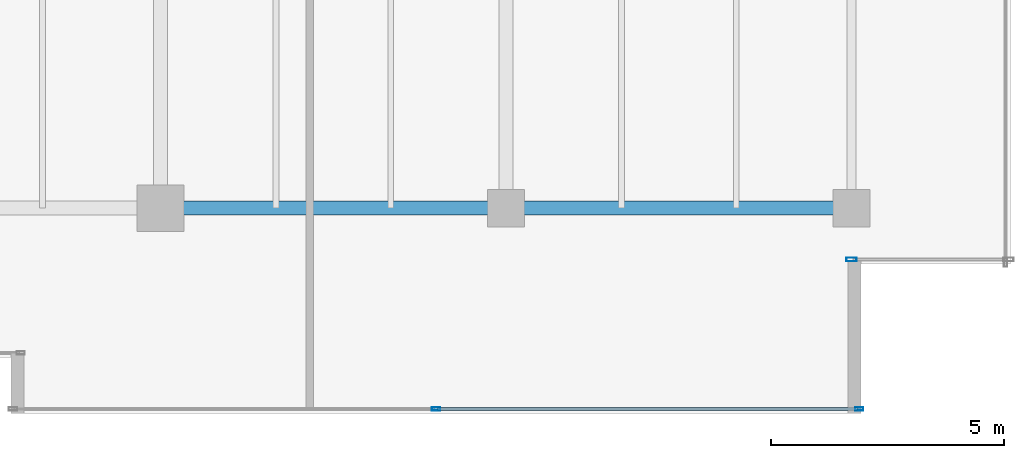
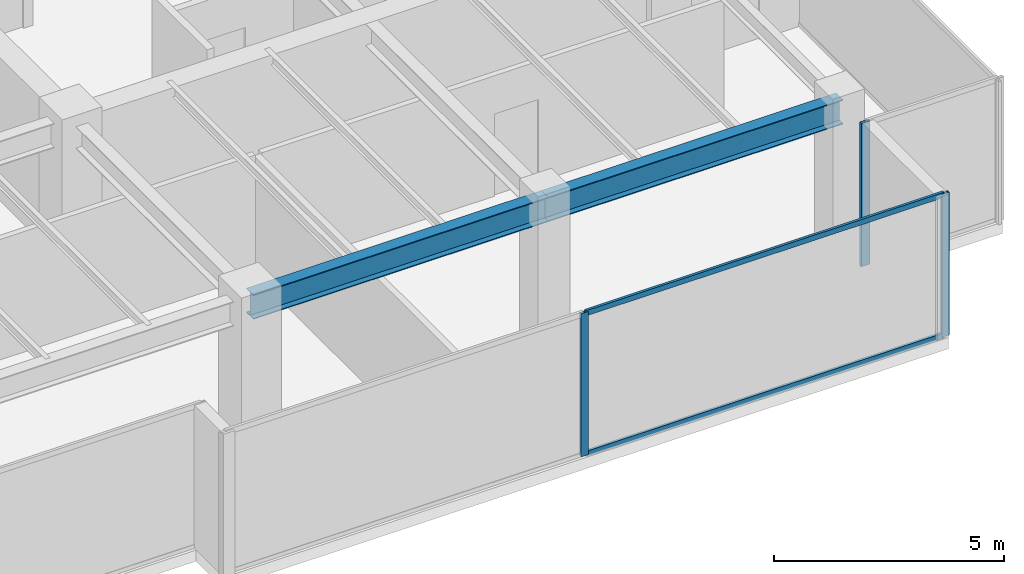
# One storey, part 13 of 33: 5 members, 2 beams, 2 elements without a shape of their own.
"""IFC4 building model written with IfcOpenShell, lengths in metres."""

from ifc_helpers import new_model, si_unit, direction, frame, origin, origin_2d, place, context, subcontext, project, spatial, hollow_rectangle, i_section, extrude, source, transform, mapped, material, layer, layer_set, material_profile, profile_set, type_object, type_shapes, element, aggregate, save


model = new_model("IFC4")

# Units and contexts
model_context = context("Model", 3, precision=1e-05, world=origin(), true_north=direction((0.0, 1.0)))
body_context = subcontext(model_context, "Body", "Model", "MODEL_VIEW")
ifc_project = project(units=[si_unit("LENGTHUNIT", "METRE"), si_unit("AREAUNIT", "SQUARE_METRE"), si_unit("VOLUMEUNIT", "CUBIC_METRE"), si_unit("PLANEANGLEUNIT", "RADIAN"), si_unit("MASSUNIT", "GRAM", prefix="KILO")], contexts=[model_context])

# Site, building, storey
site_placement = place(None, origin())
site = spatial("IfcSite", under=ifc_project, at=site_placement, CompositionType="ELEMENT")
building_placement = place(site_placement, origin())
building = spatial("IfcBuilding", under=site, at=building_placement, Name="Haelvirn Gate Laboratories", CompositionType="ELEMENT")
storey_placement = place(building_placement, frame((0.0, 0.0, 258.800048828125)))
storey = spatial("IfcBuildingStorey", under=building, at=storey_placement, Name="L62", CompositionType="ELEMENT", Elevation=258.800048828125)

# Beams
ifc_material_1 = material(Name="Steel SM355", Category="steel")
ifc_material_profile_1 = material_profile(ifc_material_1, i_section(OverallWidth=0.300048828125, OverallDepth=0.64990234375, WebThickness=0.012939453125, FlangeThickness=0.02197265625, at=origin_2d()), Name="H-650x300x13x22")
ifc_profile_set_1 = profile_set([ifc_material_profile_1], Name="Steel SM355")
beam_type = type_object("IfcBeamType", Name="BM-G-650", PredefinedType="BEAM", material=ifc_profile_set_1)
shared_shape_1 = source(origin(), body_context, "Body", "SweptSolid", [
    extrude(i_section(OverallWidth=0.300048828125, OverallDepth=0.64990234375, WebThickness=0.012939453125, FlangeThickness=0.02197265625, at=origin_2d()), origin(), (0.0, 0.0, 1.0), 7.39990234375),
])
type_shapes(beam_type, [shared_shape_1])
for number, where, z_axis, x_axis, name in (
    (1, (52.60009765625, 7.0, 3.474853515625), (1.0, 0.0, 0.0), (0.0, 1.0, 0.0), "L62 Primary Girder Y7.0 (52.6-60.0)"),
    (2, (60.0, 7.0, 3.474853515625), (1.0, 0.0, 0.0), (0.0, 1.0, 0.0), "L62 Primary Girder Y7.0 (60.0-67.4)"),
):
    element("IfcBeam", number, at=place(storey_placement, frame(where, z_axis=z_axis, x_axis=x_axis)), inside=storey, type_object=beam_type, Name=name, PredefinedType="BEAM", context=body_context, shape_type="MappedRepresentation", body=[
        mapped(shared_shape_1, transform((0.0, 0.0, 0.0), scale=1.0)),
    ])

# Curtain wall, members
ifc_material_2 = material(Name="Anodised bronze unitised aluminium & triple low-E glass", Category="aluminium")
ifc_layer_1 = layer(ifc_material_2, 0.176025390625, Name="CW-SYS-4")
ifc_layer_set_1 = layer_set([ifc_layer_1], Name="Anodised bronze unitised aluminium & triple low-E glass")
curtain_wall_type_1 = type_object("IfcCurtainWallType", Name="CW-SYS-4", PredefinedType="NOTDEFINED", material=ifc_layer_set_1)
curtain_wall_1_placement = place(storey_placement, origin())
curtain_wall_1 = element("IfcCurtainWall", 3, at=curtain_wall_1_placement, inside=storey, type_object=curtain_wall_type_1, Name="L62 Unitised Curtain Wall CW-L62-P0-E04-1", PredefinedType="NOTDEFINED")
ifc_material_3 = material(Name="Extruded aluminium 6063-T6 (anodised bronze)", Category="aluminium")
ifc_material_profile_2 = material_profile(ifc_material_3, hollow_rectangle(XDim=0.06494140625, YDim=0.139892578125, WallThickness=0.00390625, at=origin_2d()), Name="CWT-140x65x4")
ifc_profile_set_2 = profile_set([ifc_material_profile_2], Name="Extruded aluminium 6063-T6 (anodised bronze)")
member_type_1 = type_object("IfcMemberType", Name="CWT-T140", PredefinedType="USERDEFINED", material=ifc_profile_set_2)
shared_shape_2 = source(origin(), body_context, "Body", "SweptSolid", [
    extrude(hollow_rectangle(XDim=0.06494140625, YDim=0.139892578125, WallThickness=0.00390625, at=origin_2d()), origin(), (0.0, 0.0, 1.0), 8.9951171875),
])
type_shapes(member_type_1, [shared_shape_2])
member_1_placement = place(storey_placement, frame((58.534912109375, 2.699951171875, 0.032470703125), z_axis=(1.0, 0.0, 0.0), x_axis=(0.0, 1.0, 0.0)))
member_1 = element("IfcMember", 4, at=member_1_placement, type_object=member_type_1, Name="CW4 transom 2.1", ObjectType="TRANSOM", PredefinedType="USERDEFINED", context=body_context, shape_type="MappedRepresentation", body=[
    mapped(shared_shape_2, transform((0.0, 0.0, 0.0), scale=1.0)),
])
member_2_placement = place(storey_placement, frame((58.534912109375, 2.699951171875, 3.767333984375), z_axis=(1.0, 0.0, 0.0), x_axis=(0.0, 1.0, 0.0)))
member_2 = element("IfcMember", 5, at=member_2_placement, type_object=member_type_1, Name="CW4 transom 2.2", ObjectType="TRANSOM", PredefinedType="USERDEFINED", context=body_context, shape_type="MappedRepresentation", body=[
    mapped(shared_shape_2, transform((0.0, 0.0, 0.0), scale=1.0)),
])
ifc_material_profile_3 = material_profile(ifc_material_3, hollow_rectangle(XDim=0.070068359375, YDim=0.179931640625, WallThickness=0.0048828125, at=origin_2d()), Name="CWM-180x70x5")
ifc_profile_set_3 = profile_set([ifc_material_profile_3], Name="Extruded aluminium 6063-T6 (anodised bronze)")
member_type_2 = type_object("IfcMemberType", Name="CWM-T180", PredefinedType="MULLION", material=ifc_profile_set_3)
shared_shape_3 = source(origin(), body_context, "Body", "SweptSolid", [
    extrude(hollow_rectangle(XDim=0.070068359375, YDim=0.179931640625, WallThickness=0.0048828125, at=origin_2d()), origin(), (0.0, 0.0, 1.0), 3.800048828125),
])
type_shapes(member_type_2, [shared_shape_3])
member_3_placement = place(storey_placement, frame((58.5, 2.699951171875, 0.0), z_axis=(0.0, 0.0, 1.0), x_axis=(0.0, 1.0, 0.0)))
member_3 = element("IfcMember", 6, at=member_3_placement, type_object=member_type_2, Name="CW4 mullion 2", PredefinedType="MULLION", context=body_context, shape_type="MappedRepresentation", body=[
    mapped(shared_shape_3, transform((0.0, 0.0, 0.0), scale=1.0)),
])
member_4_placement = place(storey_placement, frame((67.56494140625, 2.699951171875, 0.0), z_axis=(0.0, 0.0, 1.0), x_axis=(0.0, 1.0, 0.0)))
member_4 = element("IfcMember", 7, at=member_4_placement, type_object=member_type_2, Name="CW4 mullion 3", PredefinedType="MULLION", context=body_context, shape_type="MappedRepresentation", body=[
    mapped(shared_shape_3, transform((0.0, 0.0, 0.0), scale=1.0)),
])
aggregate(curtain_wall_1, [member_3, member_4, member_1, member_2])

# Curtain wall, member
ifc_layer_2 = layer(ifc_material_2, 0.181884765625, Name="CW-SYS-5")
ifc_layer_set_2 = layer_set([ifc_layer_2], Name="Anodised bronze unitised aluminium & triple low-E glass")
curtain_wall_type_2 = type_object("IfcCurtainWallType", Name="CW-SYS-5", PredefinedType="NOTDEFINED", material=ifc_layer_set_2)
curtain_wall_2_placement = place(storey_placement, origin())
curtain_wall_2 = element("IfcCurtainWall", 8, at=curtain_wall_2_placement, inside=storey, type_object=curtain_wall_type_2, Name="L62 Unitised Curtain Wall CW-L62-P0-E06-1", PredefinedType="NOTDEFINED")
ifc_material_profile_4 = material_profile(ifc_material_3, hollow_rectangle(XDim=0.080078125, YDim=0.219970703125, WallThickness=0.006103515625, at=origin_2d()), Name="CWM-220x80x6")
ifc_profile_set_4 = profile_set([ifc_material_profile_4], Name="Extruded aluminium 6063-T6 (anodised bronze)")
member_type_3 = type_object("IfcMemberType", Name="CWM-T220", PredefinedType="MULLION", material=ifc_profile_set_4)
shared_shape_4 = source(origin(), body_context, "Body", "SweptSolid", [
    extrude(hollow_rectangle(XDim=0.080078125, YDim=0.219970703125, WallThickness=0.006103515625, at=origin_2d()), origin(), (0.0, 0.0, 1.0), 3.800048828125),
])
type_shapes(member_type_3, [shared_shape_4])
member_5_placement = place(storey_placement, frame((67.39990234375, 5.89990234375, 0.0), z_axis=(0.0, 0.0, 1.0), x_axis=(0.0, 1.0, 0.0)))
member_5 = element("IfcMember", 9, at=member_5_placement, type_object=member_type_3, Name="CW5 mullion 1", PredefinedType="MULLION", context=body_context, shape_type="MappedRepresentation", body=[
    mapped(shared_shape_4, transform((0.0, 0.0, 0.0), scale=1.0)),
])
aggregate(curtain_wall_2, [member_5])

save(model, "model.ifc")
